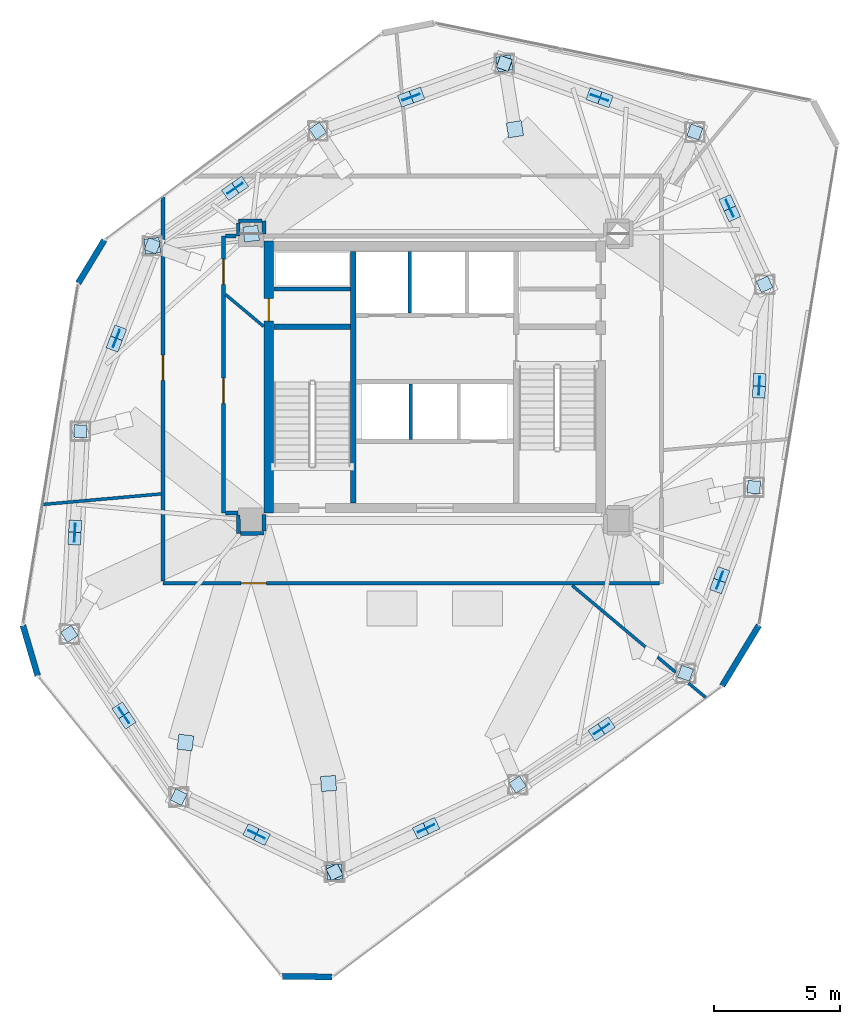
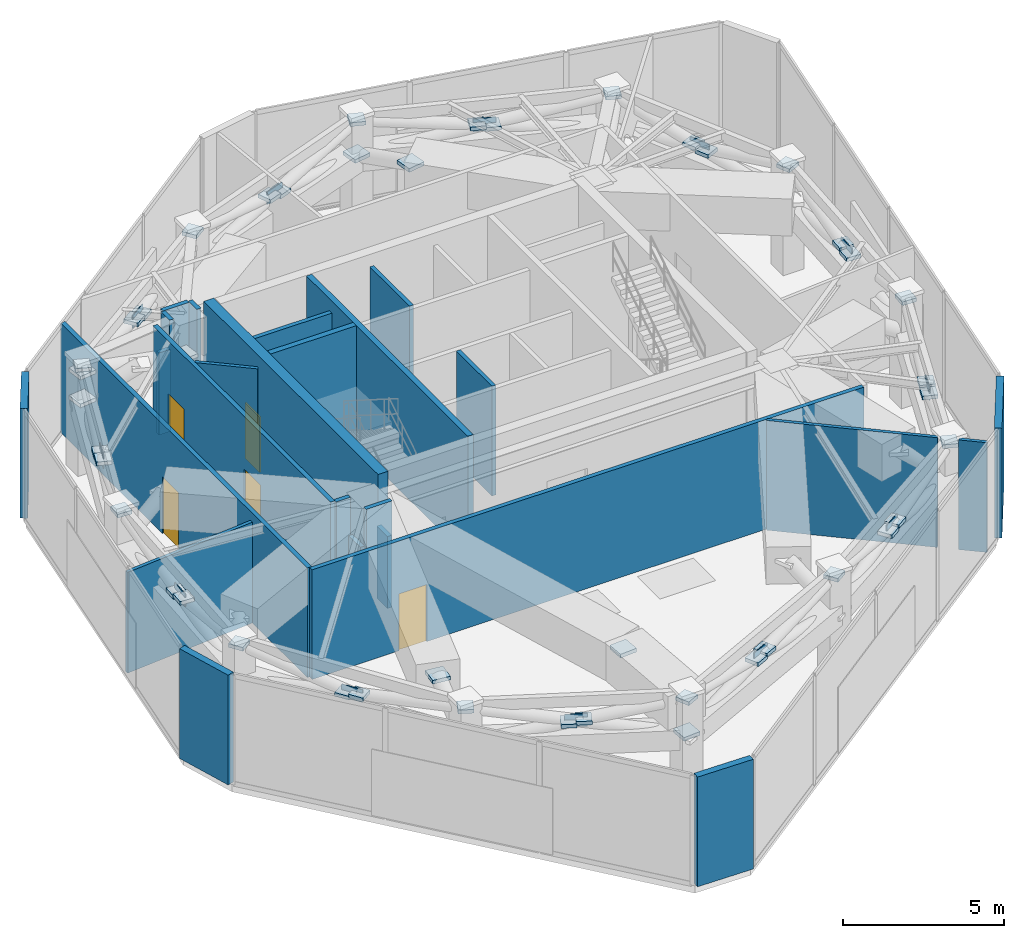
# One storey, part 16 of 19: 56 plates, 25 walls, 5 doors, 5 openings.
"""IFC4 building model written with IfcOpenShell, lengths in metres."""

from ifc_helpers import new_model, si_unit, direction, frame, frame_2d, origin, origin_2d, place, context, subcontext, project, spatial, rectangle, extrude, source, transform, mapped, material, layer, layer_set, type_object, type_shapes, element, fill, save


model = new_model("IFC4")

# Units and contexts
model_context = context("Model", 3, precision=1e-05, world=origin(), true_north=direction((0.0, 1.0)))
body_context = subcontext(model_context, "Body", "Model", "MODEL_VIEW")
ifc_project = project(units=[si_unit("LENGTHUNIT", "METRE"), si_unit("AREAUNIT", "SQUARE_METRE"), si_unit("VOLUMEUNIT", "CUBIC_METRE"), si_unit("PLANEANGLEUNIT", "RADIAN"), si_unit("MASSUNIT", "GRAM", prefix="KILO")], contexts=[model_context])

# Site, building, storey
site_placement = place(None, origin())
site = spatial("IfcSite", under=ifc_project, at=site_placement, CompositionType="ELEMENT")
building_placement = place(site_placement, origin())
building = spatial("IfcBuilding", under=site, at=building_placement, Name="Talar Marvaseh", CompositionType="ELEMENT")
storey_placement = place(building_placement, frame((0.0, 0.0, 236.199951171875)))
storey = spatial("IfcBuildingStorey", under=building, at=storey_placement, Name="L62", CompositionType="ELEMENT", Elevation=236.199951171875)

# Plates
ifc_material_1 = material(Name="Steel S460", Category="steel")
ifc_layer_1 = layer(ifc_material_1, 0.02490234375)
ifc_layer_set_1 = layer_set([ifc_layer_1], Name="Steel S460")
plate_type_1 = type_object("IfcPlateType", Name="Crown Box End Closure Cap Plate 25", PredefinedType="USERDEFINED", material=ifc_layer_set_1)
shared_shape_1 = source(origin(), body_context, "Body", "SweptSolid", [
    extrude(rectangle(XDim=0.5, YDim=0.5, at=origin_2d()), origin(), (0.0, 0.0, 1.0), 0.139892578125),
])
type_shapes(plate_type_1, [shared_shape_1])
for number, where, z_axis, x_axis, name in (
    (1, (36.341064453125, 40.94189453125, 3.7802734375), (0.0, 0.0, 1.0), (0.940880768954, -0.338737920245, 0.0), "L62 Hollow Member End Cap Plate"),
    (2, (32.776123046875, 42.224853515625, 3.0654296875), (0.0, 0.0, 1.0), (-0.940880768954, 0.338737920245, 0.0), "L62 Hollow Member End Cap Plate"),
    (3, (32.330810546875, 42.385009765625, 3.14501953125), (0.0, 0.0, 1.0), (-0.940880768954, 0.338737920245, 0.0), "L62 Hollow Member End Cap Plate"),
    (4, (28.76611328125, 43.66796875, 3.7802734375), (0.0, 0.0, 1.0), (-0.940880768954, 0.338737920245, 0.0), "L62 Hollow Member End Cap Plate"),
    (5, (39.113037109375, 34.884033203125, 3.7802734375), (0.0, 0.0, 1.0), (0.41628079226, -0.909236109047, 0.0), "L62 Hollow Member End Cap Plate"),
    (6, (37.824951171875, 37.69921875, 3.0576171875), (0.0, 0.0, 1.0), (-0.41628079226, 0.909236109047, 0.0), "L62 Hollow Member End Cap Plate"),
    (7, (37.629150390625, 38.126953125, 3.15283203125), (0.0, 0.0, 1.0), (-0.41628079226, 0.909236109047, 0.0), "L62 Hollow Member End Cap Plate"),
    (8, (38.68896484375, 26.823974609375, 3.7802734375), (0.0, 0.0, 1.0), (-0.052335956243, -0.998629534755, 0.0), "L62 Hollow Member End Cap Plate"),
    (9, (38.888671875, 30.61767578125, 3.0654296875), (0.0, 0.0, 1.0), (0.052335956243, 0.998629534755, 0.0), "L62 Hollow Member End Cap Plate"),
    (10, (38.913330078125, 31.09033203125, 3.14453125), (0.0, 0.0, 1.0), (0.052335956243, 0.998629534755, 0.0), "L62 Hollow Member End Cap Plate"),
    (11, (35.970947265625, 19.423095703125, 3.7802734375), (0.0, 0.0, 1.0), (-0.345298198999, -0.93849302276, 0.0), "L62 Hollow Member End Cap Plate"),
    (12, (37.24853515625, 22.9013671875, 3.064453125), (0.0, 0.0, 1.0), (0.345298198999, 0.93849302276, 0.0), "L62 Hollow Member End Cap Plate"),
    (13, (37.41162109375, 23.345703125, 3.1455078125), (0.0, 0.0, 1.0), (0.345298198999, 0.93849302276, 0.0), "L62 Hollow Member End Cap Plate"),
    (14, (29.299072265625, 14.993896484375, 3.7802734375), (0.0, 0.0, 1.0), (-0.83292124071, -0.553391549243, 0.0), "L62 Hollow Member End Cap Plate"),
    (15, (32.437744140625, 17.07763671875, 3.0654296875), (0.0, 0.0, 1.0), (0.83292124071, 0.553391549243, 0.0), "L62 Hollow Member End Cap Plate"),
    (16, (32.832275390625, 17.33935546875, 3.14501953125), (0.0, 0.0, 1.0), (0.83292124071, 0.553391549243, 0.0), "L62 Hollow Member End Cap Plate"),
    (17, (22.014892578125, 11.51904296875, 3.7802734375), (0.0, 0.0, 1.0), (-0.90258528435, -0.430511096808, 0.0), "L62 Hollow Member End Cap Plate"),
    (18, (25.443359375, 13.154541015625, 3.0654296875), (0.0, 0.0, 1.0), (0.90258528435, 0.430511096808, 0.0), "L62 Hollow Member End Cap Plate"),
    (19, (25.87060546875, 13.3583984375, 3.14453125), (0.0, 0.0, 1.0), (0.90258528435, 0.430511096808, 0.0), "L62 Hollow Member End Cap Plate"),
    (20, (15.819091796875, 14.5009765625, 3.7802734375), (0.0, 0.0, 1.0), (-0.901077021322, 0.433659084588, 0.0), "L62 Hollow Member End Cap Plate"),
    (21, (18.704833984375, 13.112060546875, 3.05908203125), (0.0, 0.0, 1.0), (0.901077021322, -0.433659084588, 0.0), "L62 Hollow Member End Cap Plate"),
    (22, (19.129150390625, 12.907958984375, 3.1513671875), (0.0, 0.0, 1.0), (0.901077021322, -0.433659084588, 0.0), "L62 Hollow Member End Cap Plate"),
    (23, (11.471923828125, 20.986083984375, 3.7802734375), (0.0, 0.0, 1.0), (-0.5562956155, 0.830984469274, 0.0), "L62 Hollow Member End Cap Plate"),
    (24, (13.513916015625, 17.93994140625, 3.06396484375), (0.0, 0.0, 1.0), (0.5562956155, -0.830984469274, 0.0), "L62 Hollow Member End Cap Plate"),
    (25, (13.777099609375, 17.547119140625, 3.14599609375), (0.0, 0.0, 1.0), (0.5562956155, -0.830984469274, 0.0), "L62 Hollow Member End Cap Plate"),
    (26, (11.908935546875, 29.044921875, 3.7802734375), (0.0, 0.0, 1.0), (0.054078812985, 0.998536670326, 0.0), "L62 Hollow Member End Cap Plate"),
    (27, (11.703369140625, 25.251953125, 3.0654296875), (0.0, 0.0, 1.0), (-0.054078812985, -0.998536670326, 0.0), "L62 Hollow Member End Cap Plate"),
    (28, (11.677734375, 24.779052734375, 3.14453125), (0.0, 0.0, 1.0), (-0.054078812985, -0.998536670326, 0.0), "L62 Hollow Member End Cap Plate"),
    (29, (14.77294921875, 36.416015625, 3.7802734375), (0.0, 0.0, 1.0), (0.361624570082, 0.932323801216, 0.0), "L62 Hollow Member End Cap Plate"),
    (30, (13.4267578125, 32.950927734375, 3.06494140625), (0.0, 0.0, 1.0), (-0.361624570082, -0.932323801216, 0.0), "L62 Hollow Member End Cap Plate"),
    (31, (13.25537109375, 32.510009765625, 3.1455078125), (0.0, 0.0, 1.0), (-0.361624570082, -0.932323801216, 0.0), "L62 Hollow Member End Cap Plate"),
    (32, (21.35205078125, 40.986083984375, 3.7802734375), (0.0, 0.0, 1.0), (0.821149209134, 0.570713567684, 0.0), "L62 Hollow Member End Cap Plate"),
    (33, (18.2568359375, 38.8359375, 3.0654296875), (0.0, 0.0, 1.0), (-0.821149209134, -0.570713567684, 0.0), "L62 Hollow Member End Cap Plate"),
    (34, (17.8681640625, 38.56591796875, 3.14501953125), (0.0, 0.0, 1.0), (-0.821149209134, -0.570713567684, 0.0), "L62 Hollow Member End Cap Plate"),
    (35, (25.281494140625, 42.407470703125, 3.064453125), (0.0, 0.0, 1.0), (-0.94028812701, -0.340379550213, 0.0), "L62 Hollow Member End Cap Plate"),
    (36, (24.836669921875, 42.24658203125, 3.1455078125), (0.0, 0.0, 1.0), (-0.94028812701, -0.340379550213, 0.0), "L62 Hollow Member End Cap Plate"),
):
    element("IfcPlate", number, at=place(storey_placement, frame(where, z_axis=z_axis, x_axis=x_axis)), inside=storey, type_object=plate_type_1, Name=name, ObjectType="CAP_PLATE", PredefinedType="USERDEFINED", context=body_context, shape_type="MappedRepresentation", body=[
        mapped(shared_shape_1, transform((0.0, 0.0, 0.0), x_axis=(1.0, 0.0, 0.0), y_axis=(0.0, 1.0, 0.0), z_axis=(0.0, 0.0, 1.0), scale=1.0)),
    ])
ifc_layer_2 = layer(ifc_material_1, 0.030029296875)
ifc_layer_set_2 = layer_set([ifc_layer_2], Name="Steel S460")
plate_type_2 = type_object("IfcPlateType", Name="Heavy Box End Closure Cap Plate 30", PredefinedType="USERDEFINED", material=ifc_layer_set_2)
shared_shape_2 = source(origin(), body_context, "Body", "SweptSolid", [
    extrude(rectangle(XDim=0.60009765625, YDim=0.60009765625, at=origin_2d()), origin(), (0.0, 0.0, 1.0), 0.139892578125),
])
type_shapes(plate_type_2, [shared_shape_2])
for number, where, z_axis, x_axis, name in (
    (37, (18.699951171875, 36.89990234375, 2.5302734375), (0.0, 0.0, 1.0), (-0.992546151641, -0.121869343405, 0.0), "L62 Hollow Member End Cap Plate"),
    (38, (14.77294921875, 36.416015625, 2.5302734375), (0.0, 0.0, 1.0), (-0.992546151641, -0.121869343405, 0.0), "L62 Hollow Member End Cap Plate"),
    (39, (14.77294921875, 36.416015625, 3.580078125), (0.0, 0.0, 1.0), (-0.992546151641, -0.121869343405, 0.0), "L62 Hollow Member End Cap Plate"),
    (40, (28.76611328125, 43.66796875, 2.47998046875), (0.0, 0.0, 1.0), (0.159881187692, -0.987136265073, 0.0), "L62 Hollow Member End Cap Plate"),
    (41, (29.18798828125, 41.052001953125, 3.580078125), (0.0, 0.0, 1.0), (0.159881187692, -0.987136265073, 0.0), "L62 Hollow Member End Cap Plate"),
    (42, (22.014892578125, 11.51904296875, 2.47998046875), (0.0, 0.0, 1.0), (-0.068015290665, 0.997684278836, 0.0), "L62 Hollow Member End Cap Plate"),
    (43, (21.77587890625, 15.0400390625, 3.580078125), (0.0, 0.0, 1.0), (-0.068015290665, 0.997684278836, 0.0), "L62 Hollow Member End Cap Plate"),
    (44, (16.0869140625, 16.66796875, 3.580078125), (0.0, 0.0, 1.0), (0.12360147674, 0.992331937885, 0.0), "L62 Hollow Member End Cap Plate"),
):
    element("IfcPlate", number, at=place(storey_placement, frame(where, z_axis=z_axis, x_axis=x_axis)), inside=storey, type_object=plate_type_2, Name=name, ObjectType="CAP_PLATE", PredefinedType="USERDEFINED", context=body_context, shape_type="MappedRepresentation", body=[
        mapped(shared_shape_2, transform((0.0, 0.0, 0.0), x_axis=(1.0, 0.0, 0.0), y_axis=(0.0, 1.0, 0.0), z_axis=(0.0, 0.0, 1.0), scale=1.0)),
    ])
ifc_layer_3 = layer(ifc_material_1, 0.030029296875)
ifc_layer_set_3 = layer_set([ifc_layer_3], Name="Steel S460")
plate_type_3 = type_object("IfcPlateType", Name="Belt Truss Node Gusset Plate 30", PredefinedType="USERDEFINED", material=ifc_layer_set_3)
shared_shape_3 = source(origin(), body_context, "Body", "SweptSolid", [
    extrude(rectangle(XDim=0.719970703125, YDim=0.030029296875, at=origin_2d()), origin(), (0.0, 0.0, 1.0), 0.47998046875),
])
type_shapes(plate_type_3, [shared_shape_3])
for number, where, z_axis, x_axis, name in (
    (45, (32.553466796875, 42.304931640625, 2.93505859375), (0.0, 0.0, 1.0), (0.940880768954, -0.338737920245, 0.0), "L62 Belt Truss X-Crossing Gusset Plate 1"),
    (46, (37.72705078125, 37.9130859375, 2.93505859375), (0.0, 0.0, 1.0), (0.41628079226, -0.909236109047, 0.0), "L62 Belt Truss X-Crossing Gusset Plate 2"),
    (47, (38.90087890625, 30.85400390625, 2.93505859375), (0.0, 0.0, 1.0), (-0.052335956243, -0.998629534755, 0.0), "L62 Belt Truss X-Crossing Gusset Plate 3"),
    (48, (37.330078125, 23.12353515625, 2.93505859375), (0.0, 0.0, 1.0), (-0.345298198999, -0.93849302276, 0.0), "L62 Belt Truss X-Crossing Gusset Plate 4"),
    (49, (32.635009765625, 17.20849609375, 2.93505859375), (0.0, 0.0, 1.0), (-0.83292124071, -0.553391549243, 0.0), "L62 Belt Truss X-Crossing Gusset Plate 5"),
    (50, (25.656982421875, 13.256591796875, 2.93505859375), (0.0, 0.0, 1.0), (-0.90258528435, -0.430511096808, 0.0), "L62 Belt Truss X-Crossing Gusset Plate 6"),
    (51, (18.9169921875, 13.010009765625, 2.93505859375), (0.0, 0.0, 1.0), (-0.901077021322, 0.433659084588, 0.0), "L62 Belt Truss X-Crossing Gusset Plate 7"),
    (52, (13.6455078125, 17.743408203125, 2.93505859375), (0.0, 0.0, 1.0), (-0.5562956155, 0.830984469274, 0.0), "L62 Belt Truss X-Crossing Gusset Plate 8"),
    (53, (11.6904296875, 25.015380859375, 2.93505859375), (0.0, 0.0, 1.0), (0.054078812985, 0.998536670326, 0.0), "L62 Belt Truss X-Crossing Gusset Plate 9"),
    (54, (13.341064453125, 32.73046875, 2.93505859375), (0.0, 0.0, 1.0), (0.361624570082, 0.932323801216, 0.0), "L62 Belt Truss X-Crossing Gusset Plate 10"),
    (55, (18.0625, 38.700927734375, 2.93505859375), (0.0, 0.0, 1.0), (0.821149209134, 0.570713567684, 0.0), "L62 Belt Truss X-Crossing Gusset Plate 11"),
    (56, (25.05908203125, 42.326904296875, 2.93505859375), (0.0, 0.0, 1.0), (0.94028812701, 0.340379550213, 0.0), "L62 Belt Truss X-Crossing Gusset Plate 12"),
):
    element("IfcPlate", number, at=place(storey_placement, frame(where, z_axis=z_axis, x_axis=x_axis)), inside=storey, type_object=plate_type_3, Name=name, ObjectType="GUSSET_PLATE", PredefinedType="USERDEFINED", context=body_context, shape_type="MappedRepresentation", body=[
        mapped(shared_shape_3, transform((0.0, 0.0, 0.0), x_axis=(1.0, 0.0, 0.0), y_axis=(0.0, 1.0, 0.0), z_axis=(0.0, 0.0, 1.0), scale=1.0)),
    ])

# Walls
ifc_material_2 = material(Name="Precast concrete C45/55", Category="concrete")
ifc_layer_4 = layer(ifc_material_2, 0.239990234375)
ifc_layer_set_4 = layer_set([ifc_layer_4], Name="Precast concrete C45/55")
wall_type_1 = type_object("IfcWallType", Name="Chamfered Hexagonal Corner Pier Wall Z3 240", PredefinedType="SOLIDWALL", material=ifc_layer_set_4)
wall_1_placement = place(storey_placement, frame((21.921875, 7.34765625, 0.0), z_axis=(0.0, 0.0, 1.0), x_axis=(-0.999895695334, 0.014442937821, 0.0)))
element("IfcWall", 57, at=wall_1_placement, inside=storey, type_object=wall_type_1, Name="L62 Chamfered Corner Limestone Pier 1", PredefinedType="SOLIDWALL", context=body_context, shape_type="SweptSolid", body=[
    extrude(rectangle(XDim=1.977783203125, YDim=0.239990234375, at=frame_2d((0.98876953125, 0.0))), origin(), (0.0, 0.0, 1.0), 4.150146484375),
])
wall_2_placement = place(storey_placement, frame((10.21435546875, 19.323486328125, 0.0), z_axis=(0.0, 0.0, 1.0), x_axis=(-0.281938492365, 0.959432481482, 0.0)))
element("IfcWall", 58, at=wall_2_placement, inside=storey, type_object=wall_type_1, Name="L62 Chamfered Corner Limestone Pier 2", PredefinedType="SOLIDWALL", context=body_context, shape_type="SweptSolid", body=[
    extrude(rectangle(XDim=2.088623046875, YDim=0.239990234375, at=frame_2d((1.04443359375, 0.0))), origin(), (0.0, 0.0, 1.0), 4.150146484375),
])
wall_3_placement = place(storey_placement, frame((11.822998046875, 34.93115234375, 0.0), z_axis=(0.0, 0.0, 1.0), x_axis=(0.518790493294, 0.8549014119, 0.0)))
element("IfcWall", 59, at=wall_3_placement, inside=storey, type_object=wall_type_1, Name="L62 Chamfered Corner Limestone Pier 3", PredefinedType="SOLIDWALL", context=body_context, shape_type="SweptSolid", body=[
    extrude(rectangle(XDim=2.00341796875, YDim=0.239990234375, at=frame_2d((1.001708984375, 0.0))), origin(), (0.0, 0.0, 1.0), 4.150146484375),
])
wall_4_placement = place(storey_placement, frame((38.887451171875, 21.326171875, 0.0), z_axis=(0.0, 0.0, 1.0), x_axis=(-0.518774446732, -0.854911149429, 0.0)))
element("IfcWall", 60, at=wall_4_placement, inside=storey, type_object=wall_type_1, Name="L62 Chamfered Corner Limestone Pier 6", PredefinedType="SOLIDWALL", context=body_context, shape_type="SweptSolid", body=[
    extrude(rectangle(XDim=2.815185546875, YDim=0.239990234375, at=frame_2d((1.40771484375, 0.0))), origin(), (0.0, 0.0, 1.0), 4.150146484375),
])
ifc_material_3 = material(Name="Gypsum Board Partition Assembly")
ifc_layer_5 = layer(ifc_material_3, 0.155029296875)
ifc_layer_set_5 = layer_set([ifc_layer_5], Name="Gypsum Board Partition Assembly")
wall_type_2 = type_object("IfcWallType", Name="Corridor Fire-Rated Acoustic Partition 155", PredefinedType="PARTITIONING", material=ifc_layer_set_5)
wall_5_placement = place(storey_placement, frame((19.60009765625, 34.699951171875, 0.0), z_axis=(0.0, 0.0, 1.0), x_axis=(1.0, 0.0, 0.0)))
element("IfcWall", 61, at=wall_5_placement, inside=storey, type_object=wall_type_2, Name="L62 Core BOH Partition", PredefinedType="PARTITIONING", context=body_context, shape_type="SweptSolid", body=[
    extrude(rectangle(XDim=3.059814453125, YDim=0.155029296875, at=frame_2d((1.52978515625, 0.0))), origin(), (0.0, 0.0, 1.0), 4.150146484375),
])

# Wall, opening, door
wall_6_placement = place(storey_placement, frame((34.9365234375, 23.0, 0.0), z_axis=(0.0, 0.0, 1.0), x_axis=(-1.0, 0.0, 0.0)))
wall_6 = element("IfcWall", 62, at=wall_6_placement, inside=storey, type_object=wall_type_2, Name="L62 Interior Partition Wall", PredefinedType="PARTITIONING", context=body_context, shape_type="SweptSolid", body=[
    extrude(rectangle(XDim=19.736572265625, YDim=0.155029296875, at=frame_2d((9.8681640625, 0.0))), origin(), (0.0, 0.0, 1.0), 4.150146484375),
])
opening_1_placement = place(wall_6_placement, frame((15.6328125, 0.0, 0.0)))
opening_1 = element("IfcOpeningElement", 63, at=opening_1_placement, cuts=wall_6, Name="Opening DR-RM100", PredefinedType="OPENING", context=body_context, shape_type="SweptSolid", body=[
    extrude(rectangle(XDim=1.0, YDim=2.14990234375, at=frame_2d((0.5, 1.074951171875))), frame((0.0, 0.08740234375, 0.0), z_axis=(0.0, -1.0, 0.0), x_axis=(1.0, 0.0, 0.0)), (0.0, 0.0, 1.0), 0.175048828125),
])
ifc_material_4 = material(Name="Acoustic Engineered Oak Timber", Category="wood")
door_type_1 = type_object("IfcDoorType", Name="Corridor Fire-Rated Gallery Door 1000x2150", OperationType="NOTDEFINED", PredefinedType="DOOR", material=ifc_material_4)
shared_shape_4 = source(origin(), body_context, "Body", "SweptSolid", [
    extrude(rectangle(XDim=1.0, YDim=2.14990234375, at=frame_2d((0.5, 1.074951171875))), frame((0.0, 0.02490234375, 0.0), z_axis=(0.0, -1.0, 0.0), x_axis=(1.0, 0.0, 0.0)), (0.0, 0.0, 1.0), 0.050048828125),
])
type_shapes(door_type_1, [shared_shape_4])
door_1_placement = place(opening_1_placement, origin())
door_1 = element("IfcDoor", 64, at=door_1_placement, inside=storey, type_object=door_type_1, Name="L62 Area of Refuge South-West Door", OperationType="SINGLE_SWING_LEFT", OverallHeight=2.14990234375, OverallWidth=1.0, PredefinedType="DOOR", context=body_context, shape_type="MappedRepresentation", body=[
    mapped(shared_shape_4, transform((0.0, 0.0, 0.0), x_axis=(1.0, 0.0, 0.0), y_axis=(0.0, 1.0, 0.0), z_axis=(0.0, 0.0, 1.0), scale=1.0)),
])
fill(opening_1, door_1)

wall_7_placement = place(storey_placement, frame((15.199951171875, 23.08349609375, 0.0), z_axis=(0.0, 0.0, 1.0), x_axis=(0.0, 1.0, 0.0)))
wall_7 = element("IfcWall", 65, at=wall_7_placement, inside=storey, type_object=wall_type_2, Name="L62 Interior Partition Wall", PredefinedType="PARTITIONING", context=body_context, shape_type="SweptSolid", body=[
    extrude(rectangle(XDim=15.281982421875, YDim=0.155029296875, at=frame_2d((7.64111328125, 0.0))), origin(), (0.0, 0.0, 1.0), 4.150146484375),
])
opening_2_placement = place(wall_7_placement, frame((7.98779296875, 0.0, 0.0)))
opening_2 = element("IfcOpeningElement", 66, at=opening_2_placement, cuts=wall_7, Name="Opening DR-RM100", PredefinedType="OPENING", context=body_context, shape_type="SweptSolid", body=[
    extrude(rectangle(XDim=1.0, YDim=2.14990234375, at=frame_2d((0.5, 1.074951171875))), frame((0.0, 0.08740234375, 0.0), z_axis=(0.0, -1.0, 0.0), x_axis=(1.0, 0.0, 0.0)), (0.0, 0.0, 1.0), 0.175048828125),
])
door_2_placement = place(opening_2_placement, origin())
door_2 = element("IfcDoor", 67, at=door_2_placement, inside=storey, type_object=door_type_1, Name="L62 Area of Refuge West Door", OperationType="SINGLE_SWING_RIGHT", OverallHeight=2.14990234375, OverallWidth=1.0, PredefinedType="DOOR", context=body_context, shape_type="MappedRepresentation", body=[
    mapped(shared_shape_4, transform((0.0, 0.0, 0.0), x_axis=(1.0, 0.0, 0.0), y_axis=(0.0, 1.0, 0.0), z_axis=(0.0, 0.0, 1.0), scale=1.0)),
])
fill(opening_2, door_2)

# Wall, openings, doors
wall_8_placement = place(storey_placement, frame((17.60009765625, 36.800048828125, 0.0), z_axis=(0.0, 0.0, 1.0), x_axis=(0.0, -1.0, 0.0)))
wall_8 = element("IfcWall", 68, at=wall_8_placement, inside=storey, type_object=wall_type_2, Name="L62 Interior Partition Wall", PredefinedType="PARTITIONING", context=body_context, shape_type="SweptSolid", body=[
    extrude(rectangle(XDim=11.0, YDim=0.155029296875, at=frame_2d((5.5, 0.0))), origin(), (0.0, 0.0, 1.0), 4.150146484375),
])
opening_3_placement = place(wall_8_placement, frame((0.911865234375, 0.0, 0.0)))
opening_3 = element("IfcOpeningElement", 69, at=opening_3_placement, cuts=wall_8, Name="Opening DR-RM100", PredefinedType="OPENING", context=body_context, shape_type="SweptSolid", body=[
    extrude(rectangle(XDim=1.0, YDim=2.14990234375, at=frame_2d((0.5, 1.074951171875))), frame((0.0, 0.08740234375, 0.0), z_axis=(0.0, -1.0, 0.0), x_axis=(1.0, 0.0, 0.0)), (0.0, 0.0, 1.0), 0.175048828125),
])
opening_4_placement = place(wall_8_placement, frame((5.643310546875, 0.0, 0.0)))
opening_4 = element("IfcOpeningElement", 70, at=opening_4_placement, cuts=wall_8, Name="Opening DR-RM100", PredefinedType="OPENING", context=body_context, shape_type="SweptSolid", body=[
    extrude(rectangle(XDim=1.0, YDim=2.14990234375, at=frame_2d((0.5, 1.074951171875))), frame((0.0, 0.08740234375, 0.0), z_axis=(0.0, -1.0, 0.0), x_axis=(1.0, 0.0, 0.0)), (0.0, 0.0, 1.0), 0.175048828125),
])
door_3_placement = place(opening_3_placement, origin())
door_3 = element("IfcDoor", 71, at=door_3_placement, inside=storey, type_object=door_type_1, Name="L62 Outrigger Mechanical and AHU Plant Room Door", OperationType="SINGLE_SWING_RIGHT", OverallHeight=2.14990234375, OverallWidth=1.0, PredefinedType="DOOR", context=body_context, shape_type="MappedRepresentation", body=[
    mapped(shared_shape_4, transform((0.0, 0.0, 0.0), x_axis=(1.0, 0.0, 0.0), y_axis=(0.0, 1.0, 0.0), z_axis=(0.0, 0.0, 1.0), scale=1.0)),
])
fill(opening_3, door_3)
door_4_placement = place(opening_4_placement, origin())
door_4 = element("IfcDoor", 72, at=door_4_placement, inside=storey, type_object=door_type_1, Name="L62 Area of Refuge East Door", OperationType="SINGLE_SWING_LEFT", OverallHeight=2.14990234375, OverallWidth=1.0, PredefinedType="DOOR", context=body_context, shape_type="MappedRepresentation", body=[
    mapped(shared_shape_4, transform((0.0, 0.0, 0.0), x_axis=(1.0, 0.0, 0.0), y_axis=(0.0, 1.0, 0.0), z_axis=(0.0, 0.0, 1.0), scale=1.0)),
])
fill(opening_4, door_4)

# Walls
wall_9_placement = place(storey_placement, frame((19.2138671875, 36.883544921875, 0.0), z_axis=(0.0, 0.0, 1.0), x_axis=(-0.012908099233, 0.999916687017, 0.0)))
element("IfcWall", 73, at=wall_9_placement, inside=storey, type_object=wall_type_2, Name="L62 Interior Partition Wall", PredefinedType="PARTITIONING", context=body_context, shape_type="SweptSolid", body=[
    extrude(rectangle(XDim=0.529541015625, YDim=0.155029296875, at=frame_2d((0.2646484375, 0.0))), origin(), (0.0, 0.0, 1.0), 4.150146484375),
])
wall_10_placement = place(storey_placement, frame((19.12353515625, 37.4130859375, 0.0), z_axis=(0.0, 0.0, 1.0), x_axis=(-0.999998767774, -0.001569856778, 0.0)))
element("IfcWall", 74, at=wall_10_placement, inside=storey, type_object=wall_type_2, Name="L62 Interior Partition Wall", PredefinedType="PARTITIONING", context=body_context, shape_type="SweptSolid", body=[
    extrude(rectangle(XDim=0.93310546875, YDim=0.155029296875, at=frame_2d((0.466552734375, 0.0))), origin(), (0.0, 0.0, 1.0), 4.150146484375),
])
wall_11_placement = place(storey_placement, frame((18.189697265625, 37.328125, 0.0), z_axis=(0.0, 0.0, 1.0), x_axis=(-0.00878375729, -0.99996142206, 0.0)))
element("IfcWall", 75, at=wall_11_placement, inside=storey, type_object=wall_type_2, Name="L62 Interior Partition Wall", PredefinedType="PARTITIONING", context=body_context, shape_type="SweptSolid", body=[
    extrude(rectangle(XDim=0.528076171875, YDim=0.155029296875, at=frame_2d((0.26416015625, 0.0))), origin(), (0.0, 0.0, 1.0), 4.150146484375),
])
wall_12_placement = place(storey_placement, frame((18.1015625, 36.800048828125, 0.0), z_axis=(0.0, 0.0, 1.0), x_axis=(-1.0, 0.0, 0.0)))
element("IfcWall", 76, at=wall_12_placement, inside=storey, type_object=wall_type_2, Name="L62 Interior Partition Wall", PredefinedType="PARTITIONING", context=body_context, shape_type="SweptSolid", body=[
    extrude(rectangle(XDim=0.41796875, YDim=0.155029296875, at=frame_2d((0.208984375, 0.0))), origin(), (0.0, 0.0, 1.0), 3.10400390625),
])
wall_13_placement = place(storey_placement, frame((17.68359375, 25.800048828125, 0.0), z_axis=(0.0, 0.0, 1.0), x_axis=(1.0, 0.0, 0.0)))
element("IfcWall", 77, at=wall_13_placement, inside=storey, type_object=wall_type_2, Name="L62 Interior Partition Wall", PredefinedType="PARTITIONING", context=body_context, shape_type="SweptSolid", body=[
    extrude(rectangle(XDim=0.50146484375, YDim=0.155029296875, at=frame_2d((0.250732421875, 0.0))), origin(), (0.0, 0.0, 1.0), 4.150146484375),
])
wall_14_placement = place(storey_placement, frame((18.1865234375, 25.716552734375, 0.0), z_axis=(0.0, 0.0, 1.0), x_axis=(0.01835471782, -0.999831537977, 0.0)))
element("IfcWall", 78, at=wall_14_placement, inside=storey, type_object=wall_type_2, Name="L62 Interior Partition Wall", PredefinedType="PARTITIONING", context=body_context, shape_type="SweptSolid", body=[
    extrude(rectangle(XDim=0.731689453125, YDim=0.155029296875, at=frame_2d((0.36572265625, 0.0))), origin(), (0.0, 0.0, 1.0), 2.72509765625),
])
wall_15_placement = place(storey_placement, frame((18.283447265625, 24.9853515625, 0.0), z_axis=(0.0, 0.0, 1.0), x_axis=(0.999994995467, 0.003163706814, 0.0)))
element("IfcWall", 79, at=wall_15_placement, inside=storey, type_object=wall_type_2, Name="L62 Interior Partition Wall", PredefinedType="PARTITIONING", context=body_context, shape_type="SweptSolid", body=[
    extrude(rectangle(XDim=0.926025390625, YDim=0.155029296875, at=frame_2d((0.462890625, 0.0))), origin(), (0.0, 0.0, 1.0), 4.150146484375),
])
wall_16_placement = place(storey_placement, frame((19.210205078125, 25.072021484375, 0.0), z_axis=(0.0, 0.0, 1.0), x_axis=(0.007420945932, 0.999972464402, 0.0)))
element("IfcWall", 80, at=wall_16_placement, inside=storey, type_object=wall_type_2, Name="L62 Interior Partition Wall", PredefinedType="PARTITIONING", context=body_context, shape_type="SweptSolid", body=[
    extrude(rectangle(XDim=0.657958984375, YDim=0.155029296875, at=frame_2d((0.3291015625, 0.0))), origin(), (0.0, 0.0, 1.0), 2.72509765625),
])
ifc_layer_6 = layer(ifc_material_3, 0.1201171875)
ifc_layer_set_6 = layer_set([ifc_layer_6], Name="Gypsum Board Partition Assembly")
wall_type_3 = type_object("IfcWallType", Name="Demountable Studio Room Partition 120", PredefinedType="PARTITIONING", material=ifc_layer_set_6)
wall_17_placement = place(storey_placement, frame((31.45947265625, 22.91650390625, 0.0), z_axis=(0.0, 0.0, 1.0), x_axis=(0.766141073416, -0.6426724326, 0.0)))
element("IfcWall", 81, at=wall_17_placement, inside=storey, type_object=wall_type_3, Name="L62 Interior Partition Wall", PredefinedType="PARTITIONING", context=body_context, shape_type="SweptSolid", body=[
    extrude(rectangle(XDim=5.37841796875, YDim=0.1201171875, at=frame_2d((2.689208984375, 0.0))), origin(), (0.0, 0.0, 1.0), 4.150146484375),
])
wall_18_placement = place(storey_placement, frame((36.090087890625, 19.030029296875, 0.0), z_axis=(0.0, 0.0, 1.0), x_axis=(0.767076870152, -0.641555200491, 0.0)))
element("IfcWall", 82, at=wall_18_placement, inside=storey, type_object=wall_type_3, Name="L62 Interior Partition Wall", PredefinedType="PARTITIONING", context=body_context, shape_type="SweptSolid", body=[
    extrude(rectangle(XDim=0.892822265625, YDim=0.1201171875, at=frame_2d((0.4462890625, 0.0))), origin(), (0.0, 0.0, 1.0), 4.150146484375),
])
wall_19_placement = place(storey_placement, frame((10.421142578125, 26.134033203125, 0.0), z_axis=(0.0, 0.0, 1.0), x_axis=(0.996051483021, 0.088777492479, 0.0)))
element("IfcWall", 83, at=wall_19_placement, inside=storey, type_object=wall_type_3, Name="L62 Interior Partition Wall", PredefinedType="PARTITIONING", context=body_context, shape_type="SweptSolid", body=[
    extrude(rectangle(XDim=4.73291015625, YDim=0.1201171875, at=frame_2d((2.366455078125, 0.0))), origin(), (0.0, 0.0, 1.0), 3.81201171875),
])
wall_20_placement = place(storey_placement, frame((19.199951171875, 33.2099609375, 0.0), z_axis=(0.0, 0.0, 1.0), x_axis=(-0.766630498417, 0.642088528863, 0.0)))
element("IfcWall", 84, at=wall_20_placement, inside=storey, type_object=wall_type_3, Name="L62 Interior Partition Wall", PredefinedType="PARTITIONING", context=body_context, shape_type="SweptSolid", body=[
    extrude(rectangle(XDim=1.97802734375, YDim=0.1201171875, at=frame_2d((0.989013671875, 0.0))), origin(), (0.0, 0.0, 1.0), 4.150146484375),
])
ifc_layer_7 = layer(ifc_material_2, 0.14501953125)
ifc_layer_set_7 = layer_set([ifc_layer_7], Name="Precast concrete C45/55")
wall_type_4 = type_object("IfcWallType", Name="Fire-Rated Lift Divider Wall 145", PredefinedType="SOLIDWALL", material=ifc_layer_set_7)
wall_21_placement = place(storey_placement, frame((25.0, 33.743408203125, 0.0), z_axis=(0.0, 0.0, 1.0), x_axis=(0.0, 1.0, 0.0)))
element("IfcWall", 85, at=wall_21_placement, inside=storey, type_object=wall_type_4, Name="L62 FFL-1/FFL-2 Divider", PredefinedType="SOLIDWALL", context=body_context, shape_type="SweptSolid", body=[
    extrude(rectangle(XDim=2.45654296875, YDim=0.14501953125, at=frame_2d((1.228271484375, 0.0))), origin(), (0.0, 0.0, 1.0), 4.150146484375),
])
wall_22_placement = place(storey_placement, frame((25.050048828125, 28.719970703125, 0.0), z_axis=(0.0, 0.0, 1.0), x_axis=(0.0, 1.0, 0.0)))
element("IfcWall", 86, at=wall_22_placement, inside=storey, type_object=wall_type_4, Name="L62 PL-H1/PL-H2 Divider", PredefinedType="SOLIDWALL", context=body_context, shape_type="SweptSolid", body=[
    extrude(rectangle(XDim=2.20654296875, YDim=0.14501953125, at=frame_2d((1.103271484375, 0.0))), origin(), (0.0, 0.0, 1.0), 4.150146484375),
])
ifc_material_5 = material(Name="Concrete C50/60", Category="concrete")
ifc_layer_8 = layer(ifc_material_5, 0.199951171875)
ifc_layer_set_8 = layer_set([ifc_layer_8], Name="Concrete C50/60")
wall_type_5 = type_object("IfcWallType", Name="Stair Shaft Structural Concrete Shear Wall 200", PredefinedType="SHEAR", material=ifc_layer_set_8)
wall_23_placement = place(storey_placement, frame((22.760009765625, 26.199951171875, 0.0), z_axis=(0.0, 0.0, 1.0), x_axis=(0.0, 1.0, 0.0)))
element("IfcWall", 87, at=wall_23_placement, inside=storey, type_object=wall_type_5, Name="L62 Core West Stair Shear Wall", PredefinedType="SHEAR", context=body_context, shape_type="SweptSolid", body=[
    extrude(rectangle(XDim=10.0, YDim=0.199951171875, at=frame_2d((5.0, 0.0))), origin(), (0.0, 0.0, 1.0), 4.60009765625),
])
wall_24_placement = place(storey_placement, frame((19.60009765625, 33.199951171875, 0.0), z_axis=(0.0, 0.0, 1.0), x_axis=(1.0, 0.0, 0.0)))
element("IfcWall", 88, at=wall_24_placement, inside=storey, type_object=wall_type_5, Name="L62 Stair ST-1 North Shear Wall", PredefinedType="SHEAR", context=body_context, shape_type="SweptSolid", body=[
    extrude(rectangle(XDim=3.059814453125, YDim=0.199951171875, at=frame_2d((1.52978515625, 0.0))), origin(), (0.0, 0.0, 1.0), 4.60009765625),
])

# Wall, opening, door
ifc_layer_9 = layer(ifc_material_5, 0.360107421875)
ifc_layer_set_9 = layer_set([ifc_layer_9], Name="Concrete C50/60")
wall_type_6 = type_object("IfcWallType", Name="Upper Core Reinforced Concrete Shear Wall 360", PredefinedType="SHEAR", material=ifc_layer_set_9)
wall_25_placement = place(storey_placement, frame((19.39990234375, 25.800048828125, 0.0), z_axis=(0.0, 0.0, 1.0), x_axis=(0.0, 1.0, 0.0)))
wall_25 = element("IfcWall", 89, at=wall_25_placement, inside=storey, type_object=wall_type_6, Name="L62 West Core Shear Wall", PredefinedType="SHEAR", context=body_context, shape_type="SweptSolid", body=[
    extrude(rectangle(XDim=10.800048828125, YDim=0.360107421875, at=frame_2d((5.39990234375, 0.0))), origin(), (0.0, 0.0, 1.0), 4.60009765625),
])
opening_5_placement = place(wall_25_placement, frame((7.6201171875, 0.0, 0.0)))
opening_5 = element("IfcOpeningElement", 90, at=opening_5_placement, cuts=wall_25, Name="Opening DR-BOH090", PredefinedType="OPENING", context=body_context, shape_type="SweptSolid", body=[
    extrude(rectangle(XDim=0.89990234375, YDim=2.10009765625, at=frame_2d((0.449951171875, 1.050048828125))), frame((0.0, 0.18994140625, 0.0), z_axis=(0.0, -1.0, 0.0), x_axis=(1.0, 0.0, 0.0)), (0.0, 0.0, 1.0), 0.380126953125),
])
ifc_material_6 = material(Name="Fire-Rated Steel Door Leaf", Category="steel")
door_type_2 = type_object("IfcDoorType", Name="Core Back-of-House Service Door 900x2100", OperationType="NOTDEFINED", PredefinedType="DOOR", material=ifc_material_6)
shared_shape_5 = source(origin(), body_context, "Body", "SweptSolid", [
    extrude(rectangle(XDim=0.89990234375, YDim=2.10009765625, at=frame_2d((0.449951171875, 1.050048828125))), frame((0.0, 0.02490234375, 0.0), z_axis=(0.0, -1.0, 0.0), x_axis=(1.0, 0.0, 0.0)), (0.0, 0.0, 1.0), 0.050048828125),
])
type_shapes(door_type_2, [shared_shape_5])
door_5_placement = place(opening_5_placement, origin())
door_5 = element("IfcDoor", 91, at=door_5_placement, inside=storey, type_object=door_type_2, Name="L62 Cleaner Core West Closet Door", OperationType="SINGLE_SWING_LEFT", OverallHeight=2.10009765625, OverallWidth=0.89990234375, PredefinedType="DOOR", context=body_context, shape_type="MappedRepresentation", body=[
    mapped(shared_shape_5, transform((0.0, 0.0, 0.0), x_axis=(1.0, 0.0, 0.0), y_axis=(0.0, 1.0, 0.0), z_axis=(0.0, 0.0, 1.0), scale=1.0)),
])
fill(opening_5, door_5)

save(model, "model.ifc")
